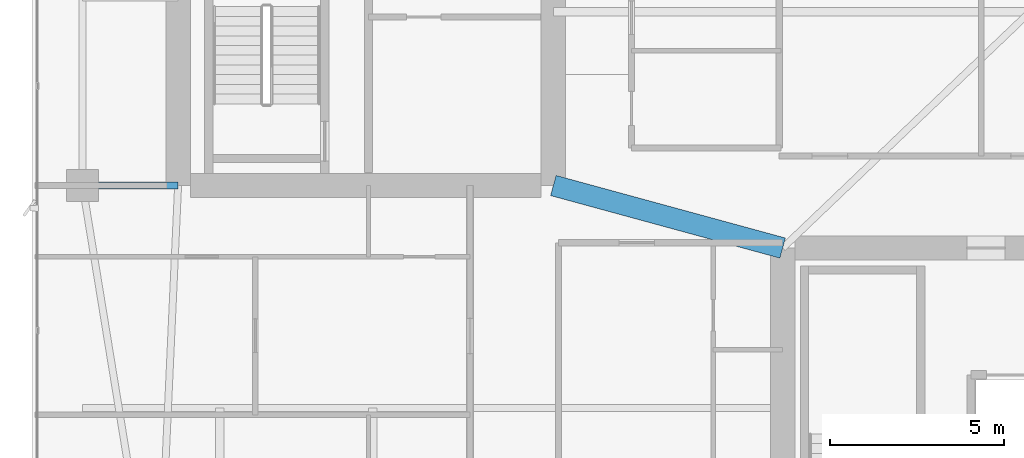
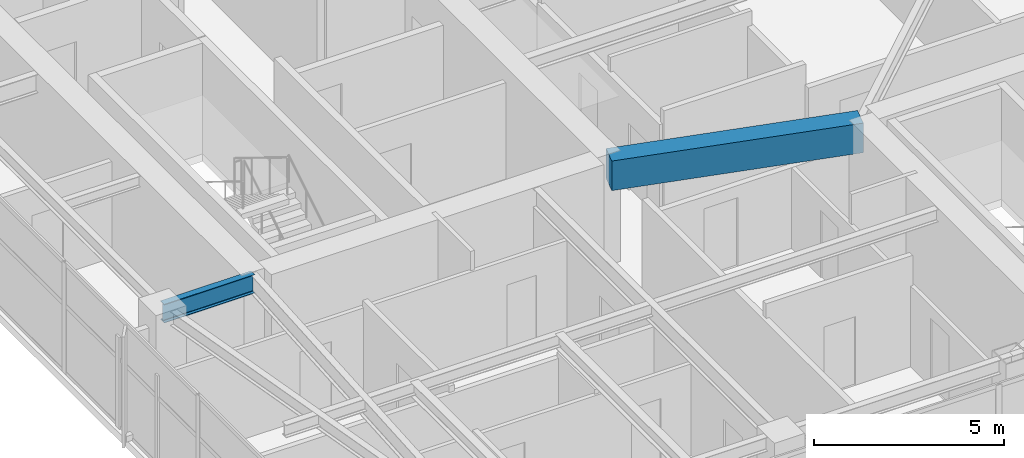
# One storey, part 7 of 30: 2 beams.
"""IFC4 building model written with IfcOpenShell, lengths in metres."""

import ifcopenshell
import ifcopenshell.guid

model = None  # the IFC model being written
_history = None  # IfcOwnerHistory: only IFC2X3 demands one
_inside = {}  # id of a spatial element -> (the spatial element, [elements in it])
_under = {}  # id of a project, library or spatial element -> (it, [spatial elements below it])
_declared = {}  # id of a project -> (the project, [libraries it declares])
_typed = {}  # id of a type object -> (the type object, [elements of that type])
_made_of = {}  # id of a material, layer set ... -> (it, [elements and type objects made of it])


def new_model(schema):
    """Start an empty IFC model of exactly this schema.

    Asked for "IFC4X3", IfcOpenShell would pick the latest addendum, in which some entities
    have other attributes; the version numbers below select the first issue.
    IFC2X3 requires an IfcOwnerHistory on every rooted entity: one is made here for all.
    """
    global model, _history
    if schema == "IFC4X3":
        model = ifcopenshell.file(schema_version=(4, 3, 0, 0))
    else:
        model = ifcopenshell.file(schema=schema)
    _inside.clear()
    _under.clear()
    _declared.clear()
    _typed.clear()
    _made_of.clear()
    _history = None
    if model.schema == "IFC2X3":
        org = make("IfcOrganization", Name="unknown")
        user = make(
            "IfcPersonAndOrganization",
            ThePerson=make("IfcPerson", FamilyName="unknown"),
            TheOrganization=org,
        )
        app = make(
            "IfcApplication",
            ApplicationDeveloper=org,
            Version="unknown",
            ApplicationFullName="unknown",
            ApplicationIdentifier="unknown",
        )
        _history = make(
            "IfcOwnerHistory",
            OwningUser=user,
            OwningApplication=app,
            ChangeAction="ADDED",
            CreationDate=0,
        )
    return model


def make(cls, **values):
    """One entity of the class cls with the attributes given. An attribute that is None is left unset."""
    return model.create_entity(
        cls, **{name: value for name, value in values.items() if value is not None}
    )


def rooted(cls, **values):
    """An entity with a GlobalId (a new one), such as an element, a storey or a relation."""
    return make(cls, GlobalId=ifcopenshell.guid.new(), OwnerHistory=_history, **values)


def si_unit(unit_type, name, prefix=None):
    """IfcSIUnit, for example si_unit("LENGTHUNIT", "METRE", prefix="MILLI")."""
    return make("IfcSIUnit", UnitType=unit_type, Prefix=prefix, Name=name)


def assignment(units):
    """IfcUnitAssignment: the units of a project."""
    return None if units is None else make("IfcUnitAssignment", Units=units)


def point(xyz):
    """IfcCartesianPoint."""
    return None if xyz is None else make("IfcCartesianPoint", Coordinates=xyz)


def direction(xyz):
    """IfcDirection."""
    return None if xyz is None else make("IfcDirection", DirectionRatios=xyz)


def frame(location, z_axis=None, x_axis=None):
    """IfcAxis2Placement3D, a coordinate frame: its origin and axes. An axis left out is left unset."""
    return make(
        "IfcAxis2Placement3D",
        Location=point(location),
        Axis=direction(z_axis),
        RefDirection=direction(x_axis),
    )


def frame_2d(location, x_axis=None):
    """IfcAxis2Placement2D, a coordinate frame in the plane: its origin and x axis."""
    return make(
        "IfcAxis2Placement2D", Location=point(location), RefDirection=direction(x_axis)
    )


def origin():
    """The frame at (0, 0, 0) with its axes left unset."""
    return frame((0.0, 0.0, 0.0))


def origin_2d():
    """The frame at (0, 0) in the plane with its x axis left unset."""
    return frame_2d((0.0, 0.0))


def place(relative_to, where):
    """IfcLocalPlacement: puts the frame where relative to a parent placement (None: the world)."""
    return make(
        "IfcLocalPlacement", PlacementRelTo=relative_to, RelativePlacement=where
    )


def context(
    kind, dimensions, precision=None, world=None, true_north=None, identifier=None
):
    """IfcGeometricRepresentationContext, for example the 3D "Model" context."""
    return make(
        "IfcGeometricRepresentationContext",
        ContextIdentifier=identifier,
        ContextType=kind,
        CoordinateSpaceDimension=dimensions,
        Precision=precision,
        WorldCoordinateSystem=world,
        TrueNorth=true_north,
    )


def subcontext(parent, identifier, kind, view, scale=None):
    """IfcGeometricRepresentationSubContext, for example "Body" below "Model"."""
    return make(
        "IfcGeometricRepresentationSubContext",
        ContextIdentifier=identifier,
        ContextType=kind,
        ParentContext=parent,
        TargetScale=scale,
        TargetView=view,
    )


def project(units=None, contexts=None):
    """IfcProject with its units and contexts."""
    return rooted(
        "IfcProject",
        Name="project",
        RepresentationContexts=contexts,
        UnitsInContext=assignment(units),
    )


def spatial(cls, under=None, at=None, **own):
    """A site, building, storey or space (cls), placed at a placement, below another one or the project."""
    s = rooted(cls, ObjectPlacement=at, **own)
    if under is not None:
        _under.setdefault(under.id(), (under, []))[1].append(s)
    return s


def profile(cls, at=None, kind="AREA", **sizes):
    """A parametric profile (cls). Its sizes go by their IFC names, for example OverallWidth=200.0."""
    return make(cls, ProfileType=kind, Position=at, **sizes)


def rectangle(**sizes):
    """IfcRectangleProfileDef."""
    return profile("IfcRectangleProfileDef", **sizes)


def i_section(**sizes):
    """IfcIShapeProfileDef."""
    return profile("IfcIShapeProfileDef", **sizes)


def extrude(swept, where, along, depth):
    """IfcExtrudedAreaSolid: the profile swept, set in the frame where, extruded along a direction by depth."""
    return make(
        "IfcExtrudedAreaSolid",
        SweptArea=swept,
        Position=where,
        ExtrudedDirection=direction(along),
        Depth=depth,
    )


def shape(context_of_items, identifier, shape_type, items):
    """IfcShapeRepresentation: the items that make up one representation, for example the "Body"."""
    return make(
        "IfcShapeRepresentation",
        ContextOfItems=context_of_items,
        RepresentationIdentifier=identifier,
        RepresentationType=shape_type,
        Items=items,
    )


def material(Name=None, Category=None):
    """IfcMaterial."""
    return make("IfcMaterial", Name=Name, Category=Category)


def material_profile(
    of_material, cross_section, Name=None, Category=None, Priority=None
):
    """IfcMaterialProfile: a cross section and its material."""
    return make(
        "IfcMaterialProfile",
        Name=Name,
        Material=of_material,
        Profile=cross_section,
        Priority=Priority,
        Category=Category,
    )


def profile_set(profiles, Name=None, composite=None):
    """IfcMaterialProfileSet."""
    return make(
        "IfcMaterialProfileSet",
        Name=Name,
        MaterialProfiles=profiles,
        CompositeProfile=composite,
    )


def made_of(thing, what):
    """Note that an element or type object is made of a material, layer set ...; save() writes the relation."""
    if what is not None:
        _made_of.setdefault(what.id(), (what, []))[1].append(thing)
    return thing


def type_object(cls, material=None, **own):
    """A type object (cls), such as IfcWallType, which elements share."""
    return made_of(rooted(cls, **own), material)


def element(
    cls,
    number,
    at=None,
    inside=None,
    cuts=None,
    type_object=None,
    material=None,
    context=None,
    identifier="Body",
    shape_type=None,
    held_by="IfcProductDefinitionShape",
    body=None,
    shapes=None,
    **own,
):
    """One element of the class cls, such as IfcWall. Its Tag is "e" and its number.

    at: its placement. inside: the storey or other place that contains it. cuts: it is an
    opening in that element (IfcRelVoidsElement). A single representation is given by context,
    identifier, shape_type and body (its items); several are given by shapes. held_by: the class
    of the entity that holds the representations. save() writes the other relations.
    """
    e = rooted(cls, Tag="e%d" % number, ObjectPlacement=at, **own)
    if body is not None:
        shapes = [shape(context, identifier, shape_type, body)]
    if shapes is not None:
        e.Representation = make(held_by, Representations=shapes)
    if inside is not None:
        _inside.setdefault(inside.id(), (inside, []))[1].append(e)
    if cuts is not None:
        rooted(
            "IfcRelVoidsElement", RelatingBuildingElement=cuts, RelatedOpeningElement=e
        )
    if type_object is not None:
        _typed.setdefault(type_object.id(), (type_object, []))[1].append(e)
    return made_of(e, material)


def aggregate(whole, parts):
    """IfcRelAggregates: a whole, such as a stair, and the parts it consists of."""
    return rooted("IfcRelAggregates", RelatingObject=whole, RelatedObjects=parts)


def save(model, path):
    """Write the relations noted so far, then the file.

    IfcRelAggregates (storeys below a building ...), IfcRelContainedInSpatialStructure (elements
    in a storey), IfcRelDefinesByType, IfcRelAssociatesMaterial and IfcRelDeclares: one each for
    every whole, place, type object, material and project.
    """
    for whole, parts in _under.values():
        aggregate(whole, parts)
    for where, things in _inside.values():
        rooted(
            "IfcRelContainedInSpatialStructure",
            RelatedElements=things,
            RelatingStructure=where,
        )
    for kind, things in _typed.values():
        rooted("IfcRelDefinesByType", RelatedObjects=things, RelatingType=kind)
    for what, things in _made_of.values():
        rooted("IfcRelAssociatesMaterial", RelatedObjects=things, RelatingMaterial=what)
    for by, libraries in _declared.values():
        rooted("IfcRelDeclares", RelatingContext=by, RelatedDefinitions=libraries)
    model.write(path)


model = new_model("IFC4")

# Units and contexts
model_context = context("Model", 3, precision=1e-05, world=origin(), true_north=direction((0.0, 1.0)))
body_context = subcontext(model_context, "Body", "Model", "MODEL_VIEW")
ifc_project = project(units=[si_unit("LENGTHUNIT", "METRE"), si_unit("AREAUNIT", "SQUARE_METRE"), si_unit("VOLUMEUNIT", "CUBIC_METRE"), si_unit("PLANEANGLEUNIT", "RADIAN"), si_unit("MASSUNIT", "GRAM", prefix="KILO")], contexts=[model_context])

# Site, building, storey
site_placement = place(None, origin())
site = spatial("IfcSite", under=ifc_project, at=site_placement, CompositionType="ELEMENT")
building_placement = place(site_placement, origin())
building = spatial("IfcBuilding", under=site, at=building_placement, Name="Calvorn Quay Hotel", CompositionType="ELEMENT")
storey_placement = place(building_placement, frame((0.0, 0.0, 203.39990234375)))
storey = spatial("IfcBuildingStorey", under=building, at=storey_placement, Name="L50", CompositionType="ELEMENT", Elevation=203.39990234375)

# Beams
ifc_material_1 = material(Name="Steel Q355B", Category="steel")
ifc_material_profile_1 = material_profile(ifc_material_1, i_section(OverallWidth=0.199951171875, OverallDepth=0.60009765625, WebThickness=0.010986328125, FlangeThickness=0.01708984375, FilletRadius=0.01806640625, at=origin_2d()), Name="HN600x200x11x17")
ifc_profile_set_1 = profile_set([ifc_material_profile_1], Name="Steel Q355B")
beam_type_1 = type_object("IfcBeamType", Name="BM-GIRD-TYP", PredefinedType="BEAM", material=ifc_profile_set_1)
beam_1_placement = place(storey_placement, frame((1.449951171875, 16.800048828125, 3.239990234375), z_axis=(1.0, 0.0, 0.0), x_axis=(0.0, 1.0, 0.0)))
element("IfcBeam", 1, at=beam_1_placement, inside=storey, type_object=beam_type_1, Name="Beam BG-L50-W1", PredefinedType="BEAM", context=body_context, shape_type="SweptSolid", body=[
    extrude(i_section(OverallWidth=0.199951171875, OverallDepth=0.60009765625, WebThickness=0.010986328125, FlangeThickness=0.01708984375, FilletRadius=0.01806640625, at=origin_2d()), origin(), (0.0, 0.0, 1.0), 2.75),
])
ifc_material_2 = material(Name="Concrete C45", Category="concrete")
ifc_material_profile_2 = material_profile(ifc_material_2, rectangle(XDim=0.60009765625, YDim=0.949951171875, at=origin_2d()), Name="RCB600x950")
ifc_profile_set_2 = profile_set([ifc_material_profile_2], Name="Concrete C45")
beam_type_2 = type_object("IfcBeamType", Name="BM-RC-LINK-600x950", PredefinedType="BEAM", material=ifc_profile_set_2)
beam_2_placement = place(storey_placement, frame((15.0, 16.800048828125, 3.065185546875), z_axis=(0.964762997686, -0.263120425462, 0.0), x_axis=(0.263120425462, 0.964762997686, 0.0)))
element("IfcBeam", 2, at=beam_2_placement, inside=storey, type_object=beam_type_2, Name="Beam BCL-L50-01", PredefinedType="BEAM", context=body_context, shape_type="SweptSolid", body=[
    extrude(rectangle(XDim=0.60009765625, YDim=0.949951171875, at=origin_2d()), origin(), (0.0, 0.0, 1.0), 6.841064453125),
])

save(model, "model.ifc")
